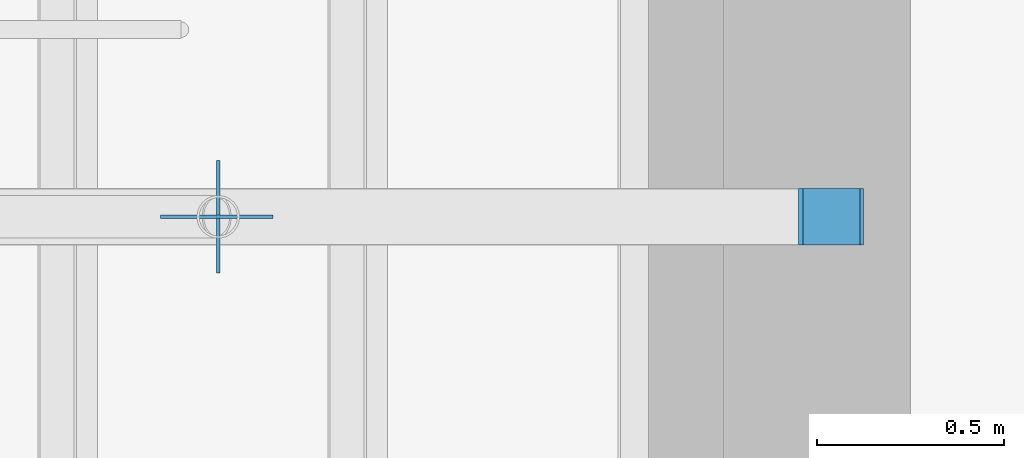
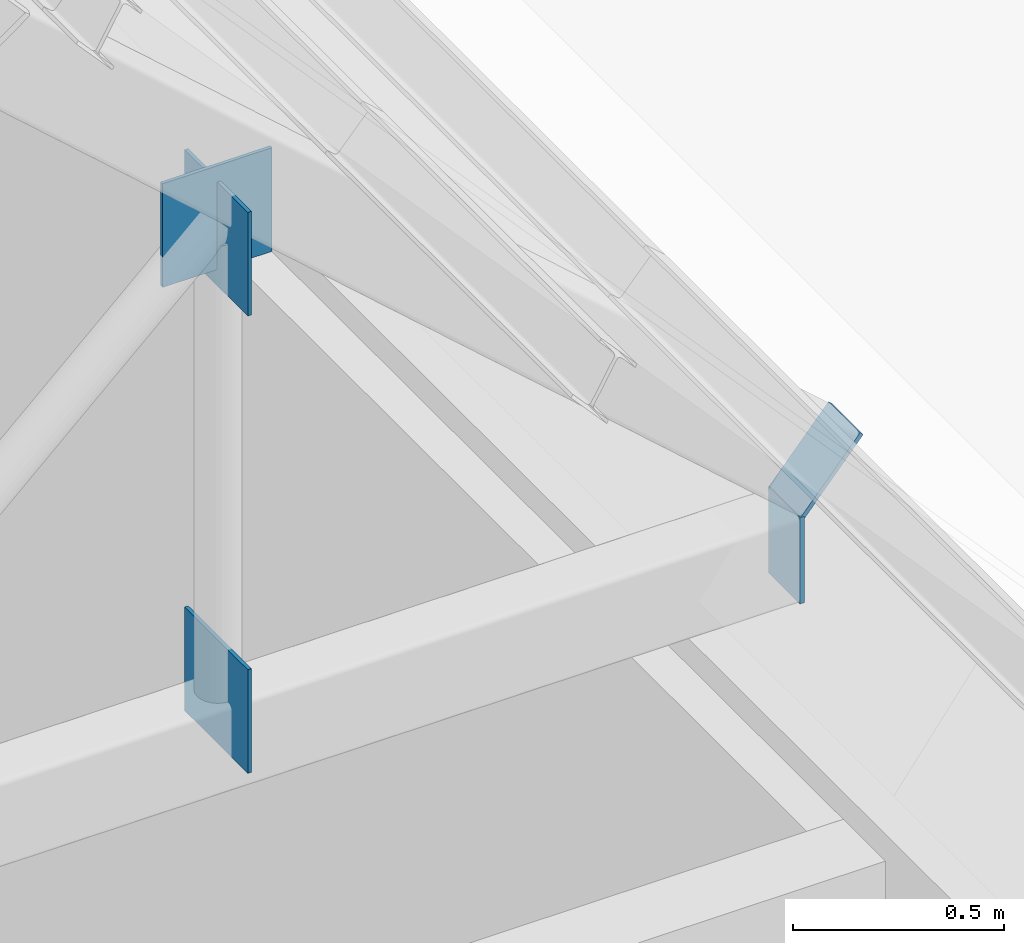
# One storey, part 98 of 118: 5 discrete accessories.
"""IFC4 building model written with IfcOpenShell, lengths in metres."""

from ifc_helpers import new_model, si_unit, direction, frame, origin, origin_2d, place, context, subcontext, project, spatial, rectangle, extrude, material, material_profile, profile_set, type_object, element, save


model = new_model("IFC4")

# Units and contexts
model_context = context("Model", 3, precision=1e-05, world=origin(), true_north=direction((0.0, 1.0)))
body_context = subcontext(model_context, "Body", "Model", "MODEL_VIEW")
ifc_project = project(units=[si_unit("LENGTHUNIT", "METRE"), si_unit("AREAUNIT", "SQUARE_METRE"), si_unit("VOLUMEUNIT", "CUBIC_METRE"), si_unit("PLANEANGLEUNIT", "RADIAN"), si_unit("MASSUNIT", "GRAM", prefix="KILO")], contexts=[model_context])

# Site, building, storey
site_placement = place(None, origin())
site = spatial("IfcSite", under=ifc_project, at=site_placement, CompositionType="ELEMENT")
building_placement = place(site_placement, origin())
building = spatial("IfcBuilding", under=site, at=building_placement, Name="Saffron Lane Theatres", CompositionType="ELEMENT")
storey_placement = place(building_placement, frame((0.0, 0.0, 16.5)))
storey = spatial("IfcBuildingStorey", under=building, at=storey_placement, Name="L03", CompositionType="ELEMENT", Elevation=16.5)

# Discrete accessories
ifc_material_1 = material(Name="Steel Grade 350", Category="steel")
ifc_material_profile_1 = material_profile(ifc_material_1, rectangle(XDim=0.300048828125, YDim=0.300048828125, at=origin_2d()))
ifc_profile_set_1 = profile_set([ifc_material_profile_1], Name="Steel Grade 350")
discrete_accessory_type_1 = type_object("IfcDiscreteAccessoryType", Name="ST-GUSSET CONNECTION PLATE", PredefinedType="BRACKET", material=ifc_profile_set_1)
for number, where, z_axis, x_axis, name in (
    (1, (16.64501953125, 61.0, 4.75), (1.0, 0.0, 0.0), (0.0, 1.0, 0.0), "GB227"),
    (2, (16.64501953125, 61.0, 6.073486328125), (1.0, 0.0, 0.0), (0.0, 1.0, 0.0), "GB228"),
):
    element("IfcDiscreteAccessory", number, at=place(storey_placement, frame(where, z_axis=z_axis, x_axis=x_axis)), inside=storey, type_object=discrete_accessory_type_1, Name=name, PredefinedType="BRACKET", context=body_context, shape_type="SweptSolid", body=[
        extrude(rectangle(XDim=0.300048828125, YDim=0.300048828125, at=origin_2d()), origin(), (0.0, 0.0, 1.0), 0.010009765625),
    ])
discrete_accessory_placement = place(storey_placement, frame((16.645751953125, 60.9951171875, 6.120361328125), z_axis=(0.0, 1.0, 0.0), x_axis=(-1.0, 0.0, 0.0)))
element("IfcDiscreteAccessory", 3, at=discrete_accessory_placement, inside=storey, type_object=discrete_accessory_type_1, Name="GB232", PredefinedType="BRACKET", context=body_context, shape_type="SweptSolid", body=[
    extrude(rectangle(XDim=0.300048828125, YDim=0.300048828125, at=origin_2d()), origin(), (0.0, 0.0, 1.0), 0.009765625),
])
ifc_material_2 = material(Name="Steel Grade 350", Category="steel")
ifc_material_profile_2 = material_profile(ifc_material_2, rectangle(XDim=0.14990234375, YDim=0.25, at=origin_2d()))
ifc_profile_set_2 = profile_set([ifc_material_profile_2], Name="Steel Grade 350")
discrete_accessory_type_2 = type_object("IfcDiscreteAccessoryType", Name="ST-STEEL END CAP 250x150x9 RHS", PredefinedType="ANCHORPLATE", material=ifc_profile_set_2)
for number, where, z_axis, x_axis, name in (
    (4, (18.199951171875, 61.0, 4.625), (1.0, 0.0, 0.0), (0.0, 1.0, 0.0), "EC339"),
    (5, (18.2919921875, 61.0, 4.835693359375), (-0.756363172452, 0.0, 0.654151932932), (0.0, -1.0, 0.0), "EC342"),
):
    element("IfcDiscreteAccessory", number, at=place(storey_placement, frame(where, z_axis=z_axis, x_axis=x_axis)), inside=storey, type_object=discrete_accessory_type_2, Name=name, PredefinedType="ANCHORPLATE", context=body_context, shape_type="SweptSolid", body=[
        extrude(rectangle(XDim=0.14990234375, YDim=0.25, at=origin_2d()), origin(), (0.0, 0.0, 1.0), 0.011962890625),
    ])

save(model, "model.ifc")
